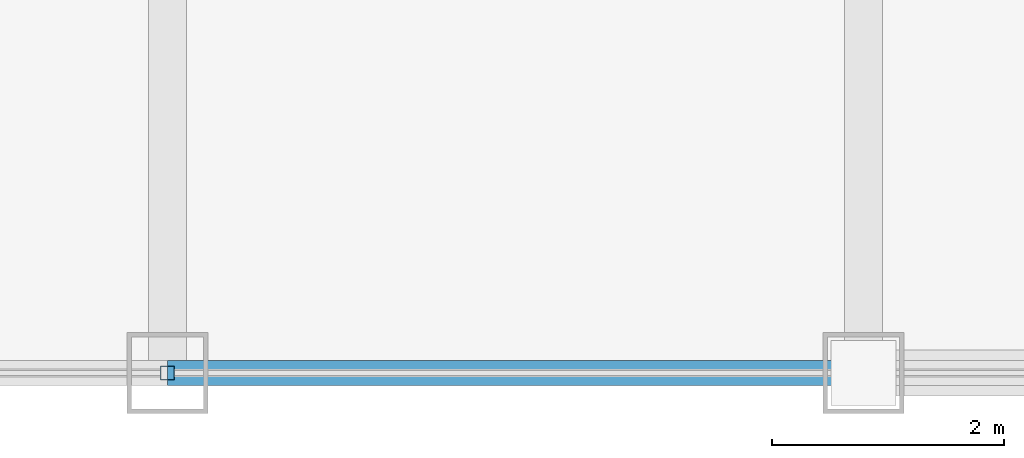
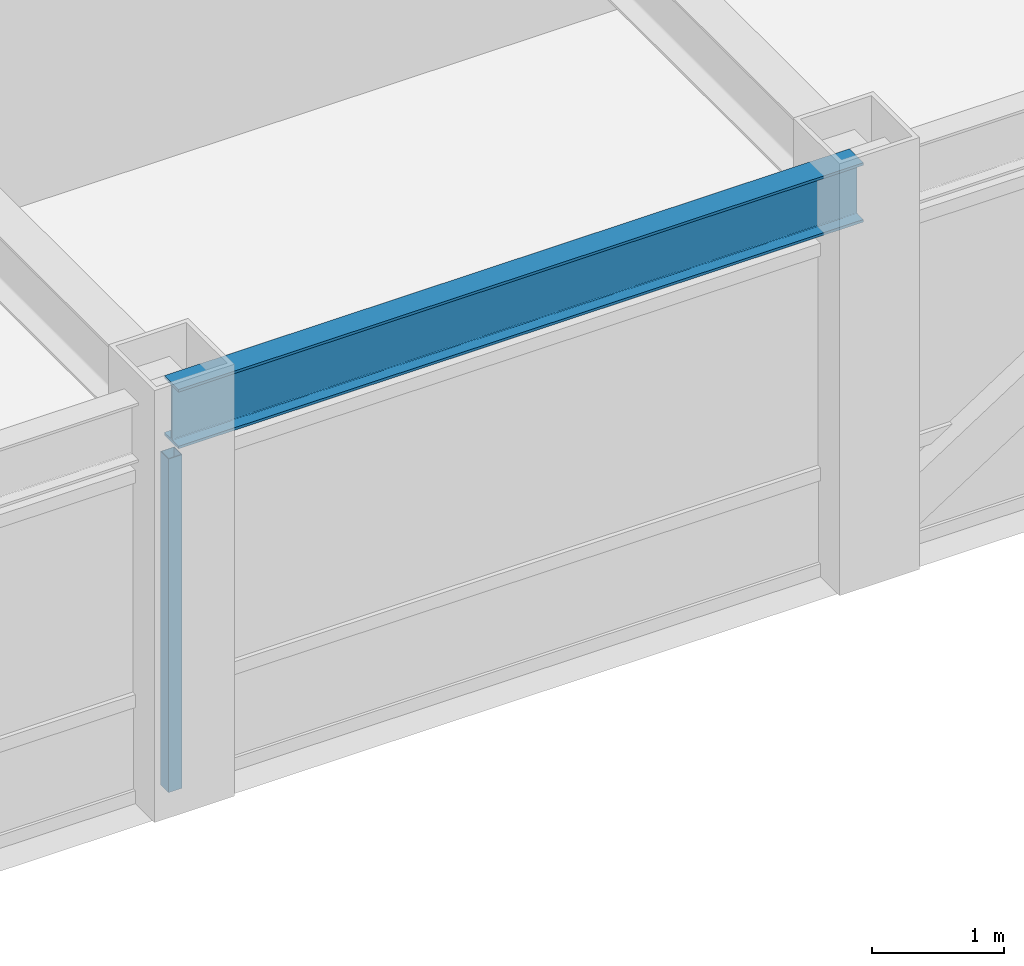
# One storey, part 4 of 29: 1 beam, 1 member, 1 element without a shape of its own.
"""IFC4 building model written with IfcOpenShell, lengths in metres."""

from ifc_helpers import new_model, si_unit, direction, frame, origin, origin_2d, place, context, subcontext, project, spatial, hollow_rectangle, i_section, extrude, source, transform, mapped, material, material_profile, profile_set, type_object, element, aggregate, save


model = new_model("IFC4")

# Units and contexts
model_context = context("Model", 3, precision=1e-05, world=origin(), true_north=direction((0.0, 1.0)))
body_context = subcontext(model_context, "Body", "Model", "MODEL_VIEW")
ifc_project = project(units=[si_unit("LENGTHUNIT", "METRE"), si_unit("AREAUNIT", "SQUARE_METRE"), si_unit("VOLUMEUNIT", "CUBIC_METRE"), si_unit("PLANEANGLEUNIT", "RADIAN"), si_unit("MASSUNIT", "GRAM", prefix="KILO")], contexts=[model_context])

# Site, building, storey
site_placement = place(None, origin())
site = spatial("IfcSite", under=ifc_project, at=site_placement, CompositionType="ELEMENT")
building_placement = place(site_placement, origin())
building = spatial("IfcBuilding", under=site, at=building_placement, Name="Khorayat Bourse Tower", CompositionType="ELEMENT")
storey_placement = place(building_placement, frame((0.0, 0.0, 362.300048828125)))
storey = spatial("IfcBuildingStorey", under=building, at=storey_placement, Name="L86", CompositionType="ELEMENT", Elevation=362.300048828125)

# Beam
ifc_material_1 = material(Name="Steel ASTM A992 Grade 50", Category="steel")
ifc_material_profile_1 = material_profile(ifc_material_1, i_section(OverallWidth=0.214111328125, OverallDepth=0.549072265625, WebThickness=0.0146484375, FlangeThickness=0.023681640625, FilletRadius=0.013916015625, at=origin_2d()), Name="W530X138")
ifc_profile_set_1 = profile_set([ifc_material_profile_1], Name="Steel ASTM A992 Grade 50")
beam_type = type_object("IfcBeamType", Name="BM-SPAN-530", PredefinedType="SPANDREL", material=ifc_profile_set_1)
shared_shape_1 = source(origin(), body_context, "Body", "SweptSolid", [
    extrude(i_section(OverallWidth=0.214111328125, OverallDepth=0.549072265625, WebThickness=0.0146484375, FlangeThickness=0.023681640625, FilletRadius=0.013916015625, at=origin_2d()), origin(), (0.0, 0.0, 1.0), 6.0),
])
beam_placement = place(storey_placement, frame((0.0, -26.0, 3.46533203125), z_axis=(1.0, 0.0, 0.0), x_axis=(0.0, 1.0, 0.0)))
element("IfcBeam", 1, at=beam_placement, inside=storey, type_object=beam_type, Name="L86 BM-SPAN-530 BM-L86-SPN-027", PredefinedType="SPANDREL", context=body_context, shape_type="MappedRepresentation", body=[
    mapped(shared_shape_1, transform((0.0, 0.0, 0.0), scale=1.0)),
])

# Curtain wall, member
ifc_material_2 = material(Name="Aluminium EN AW-6063 T6", Category="aluminium")
curtain_wall_type = type_object("IfcCurtainWallType", Name="CW-SYS-04", PredefinedType="NOTDEFINED", material=ifc_material_2)
curtain_wall_placement = place(storey_placement, origin())
curtain_wall = element("IfcCurtainWall", 2, at=curtain_wall_placement, inside=storey, type_object=curtain_wall_type, Name="L86 Curtain Wall CW-L86-S1", PredefinedType="NOTDEFINED")
ifc_material_profile_2 = material_profile(ifc_material_2, hollow_rectangle(XDim=0.1201171875, YDim=0.1201171875, WallThickness=0.0048828125, at=origin_2d()), Name="ALU 120x120x5")
ifc_profile_set_2 = profile_set([ifc_material_profile_2], Name="Aluminium EN AW-6063 T6")
member_type = type_object("IfcMemberType", Name="CWM-VERT-120", PredefinedType="MULLION", material=ifc_profile_set_2)
shared_shape_2 = source(origin(), body_context, "Body", "SweptSolid", [
    extrude(hollow_rectangle(XDim=0.1201171875, YDim=0.1201171875, WallThickness=0.0048828125, at=origin_2d()), origin(), (0.0, 0.0, 1.0), 3.08984375),
])
member_placement = place(storey_placement, frame((0.0, -26.0, 0.0), z_axis=(0.0, 0.0, 1.0), x_axis=(0.0, 1.0, 0.0)))
member = element("IfcMember", 3, at=member_placement, type_object=member_type, Name="CW-L86-S1 Vertical Mullion 2", PredefinedType="MULLION", context=body_context, shape_type="MappedRepresentation", body=[
    mapped(shared_shape_2, transform((0.0, 0.0, 0.0), scale=1.0)),
])
aggregate(curtain_wall, [member])

save(model, "model.ifc")
